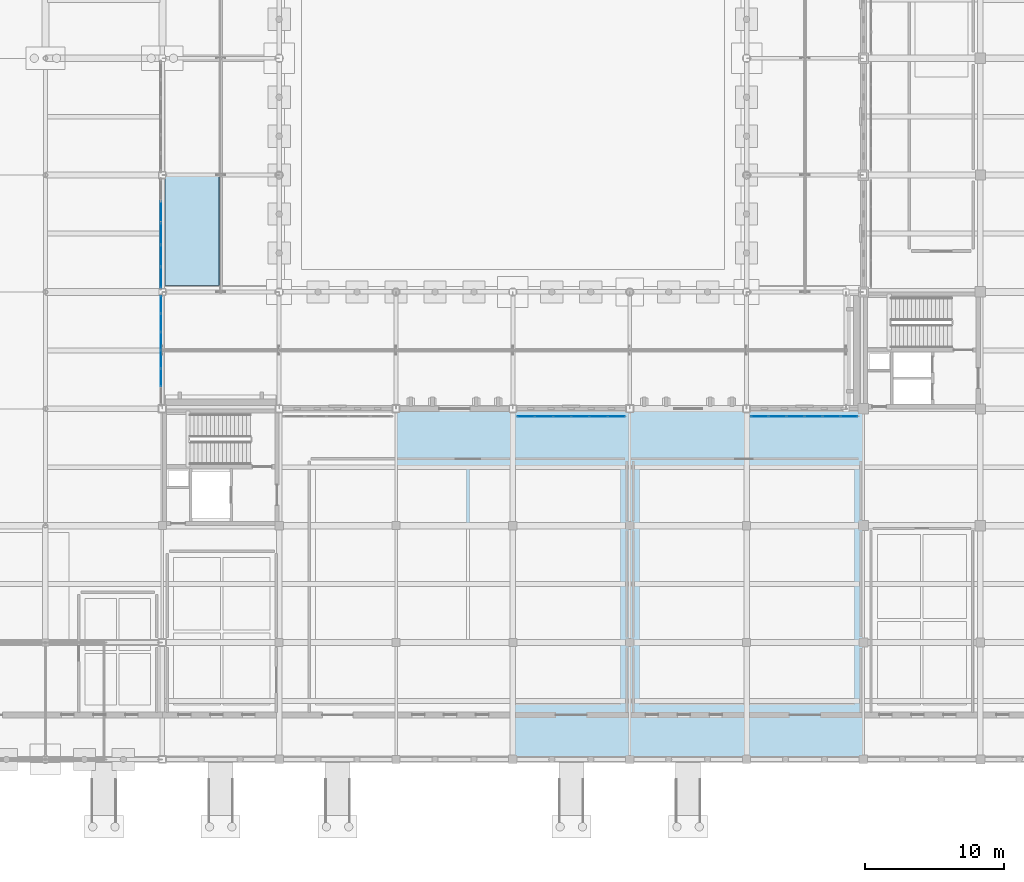
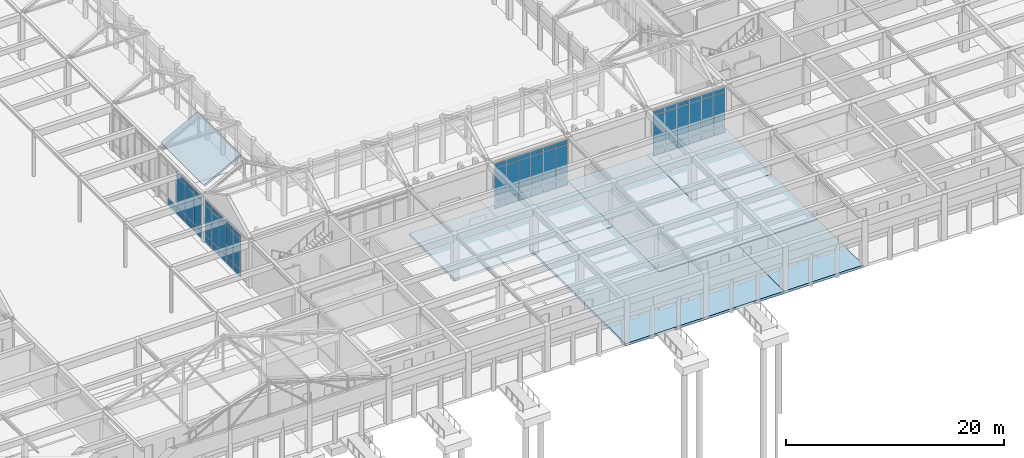
# One storey, part 73 of 143: 61 plates, 6 slabs, 4 elements without a shape of their own.
"""IFC4 building model written with IfcOpenShell, lengths in metres."""

from ifc_helpers import new_model, si_unit, direction, frame, origin, origin_2d, place, context, subcontext, project, spatial, polyline, rectangle, outline, extrude, material, layer, layer_set, type_object, element, aggregate, save


model = new_model("IFC4")

# Units and contexts
model_context = context("Model", 3, precision=1e-05, world=origin(), true_north=direction((0.0, 1.0)))
body_context = subcontext(model_context, "Body", "Model", "MODEL_VIEW")
ifc_project = project(units=[si_unit("LENGTHUNIT", "METRE"), si_unit("AREAUNIT", "SQUARE_METRE"), si_unit("VOLUMEUNIT", "CUBIC_METRE"), si_unit("PLANEANGLEUNIT", "RADIAN"), si_unit("MASSUNIT", "GRAM", prefix="KILO")], contexts=[model_context])

# Site, building, storey
site_placement = place(None, origin())
site = spatial("IfcSite", under=ifc_project, at=site_placement, CompositionType="ELEMENT")
building_placement = place(site_placement, origin())
building = spatial("IfcBuilding", under=site, at=building_placement, Name="Kveldsbrygga Polytechnic", CompositionType="ELEMENT")
storey_placement = place(building_placement, origin())
storey = spatial("IfcBuildingStorey", under=building, at=storey_placement, Name="L00", CompositionType="ELEMENT", Elevation=0.0)

# Curtain wall, plates
ifc_material_1 = material(Name="Anodised aluminium AW-6060", Category="aluminium")
ifc_layer_1 = layer(ifc_material_1, 0.18994140625)
ifc_layer_set_1 = layer_set([ifc_layer_1], Name="Anodised aluminium AW-6060")
curtain_wall_type_1 = type_object("IfcCurtainWallType", Name="CW-REFC-G", PredefinedType="USERDEFINED", material=ifc_layer_set_1)
curtain_wall_1_placement = place(storey_placement, origin())
curtain_wall_1 = element("IfcCurtainWall", 1, at=curtain_wall_1_placement, inside=storey, type_object=curtain_wall_type_1, Name="Curtain Wall CW-L00-Y-09-04", ObjectType="UNITISED CURTAIN WALL", PredefinedType="USERDEFINED")
ifc_material_2 = material(Name="Insulated triple low-E glass", Category="glass")
ifc_layer_2 = layer(ifc_material_2, 0.035888671875)
ifc_layer_set_2 = layer_set([ifc_layer_2], Name="Insulated triple low-E glass")
plate_type_1 = type_object("IfcPlateType", Name="CW-PAN-VIS36", PredefinedType="CURTAIN_PANEL", material=ifc_layer_set_2)
plate_1_placement = place(storey_placement, frame((75.5, 34.644287109375, 0.06005859375), z_axis=(0.0, 0.0, 1.0), x_axis=(0.0, 1.0, 0.0)))
plate_1 = element("IfcPlate", 2, at=plate_1_placement, type_object=plate_type_1, Name="CW-07 panel 1.1", PredefinedType="CURTAIN_PANEL", context=body_context, shape_type="SweptSolid", body=[
    extrude(rectangle(XDim=1.468505859375, YDim=0.035888671875, at=origin_2d()), origin(), (0.0, 0.0, 1.0), 0.81005859375),
])
plate_2_placement = place(storey_placement, frame((75.5, 34.644287109375, 0.93017578125), z_axis=(0.0, 0.0, 1.0), x_axis=(0.0, 1.0, 0.0)))
plate_2 = element("IfcPlate", 3, at=plate_2_placement, type_object=plate_type_1, Name="CW-07 panel 1.2", PredefinedType="CURTAIN_PANEL", context=body_context, shape_type="SweptSolid", body=[
    extrude(rectangle(XDim=1.468505859375, YDim=0.035888671875, at=origin_2d()), origin(), (0.0, 0.0, 1.0), 3.320068359375),
])
plate_3_placement = place(storey_placement, frame((75.5, 34.644287109375, 4.31005859375), z_axis=(0.0, 0.0, 1.0), x_axis=(0.0, 1.0, 0.0)))
plate_3 = element("IfcPlate", 4, at=plate_3_placement, type_object=plate_type_1, Name="CW-07 panel 1.3", PredefinedType="CURTAIN_PANEL", context=body_context, shape_type="SweptSolid", body=[
    extrude(rectangle(XDim=1.468505859375, YDim=0.035888671875, at=origin_2d()), origin(), (0.0, 0.0, 1.0), 0.4599609375),
])
plate_4_placement = place(storey_placement, frame((75.5, 36.20654296875, 0.06005859375), z_axis=(0.0, 0.0, 1.0), x_axis=(0.0, 1.0, 0.0)))
plate_4 = element("IfcPlate", 5, at=plate_4_placement, type_object=plate_type_1, Name="CW-07 panel 2.1", PredefinedType="CURTAIN_PANEL", context=body_context, shape_type="SweptSolid", body=[
    extrude(rectangle(XDim=1.506103515625, YDim=0.035888671875, at=origin_2d()), origin(), (0.0, 0.0, 1.0), 0.81005859375),
])
plate_5_placement = place(storey_placement, frame((75.5, 36.20654296875, 0.93017578125), z_axis=(0.0, 0.0, 1.0), x_axis=(0.0, 1.0, 0.0)))
plate_5 = element("IfcPlate", 6, at=plate_5_placement, type_object=plate_type_1, Name="CW-07 panel 2.2", PredefinedType="CURTAIN_PANEL", context=body_context, shape_type="SweptSolid", body=[
    extrude(rectangle(XDim=1.506103515625, YDim=0.035888671875, at=origin_2d()), origin(), (0.0, 0.0, 1.0), 3.320068359375),
])
plate_6_placement = place(storey_placement, frame((75.5, 36.20654296875, 4.31005859375), z_axis=(0.0, 0.0, 1.0), x_axis=(0.0, 1.0, 0.0)))
plate_6 = element("IfcPlate", 7, at=plate_6_placement, type_object=plate_type_1, Name="CW-07 panel 2.3", PredefinedType="CURTAIN_PANEL", context=body_context, shape_type="SweptSolid", body=[
    extrude(rectangle(XDim=1.506103515625, YDim=0.035888671875, at=origin_2d()), origin(), (0.0, 0.0, 1.0), 0.4599609375),
])
plate_7_placement = place(storey_placement, frame((75.5, 37.78759765625, 0.06005859375), z_axis=(0.0, 0.0, 1.0), x_axis=(0.0, 1.0, 0.0)))
plate_7 = element("IfcPlate", 8, at=plate_7_placement, type_object=plate_type_1, Name="CW-07 panel 3.1", PredefinedType="CURTAIN_PANEL", context=body_context, shape_type="SweptSolid", body=[
    extrude(rectangle(XDim=1.506103515625, YDim=0.035888671875, at=origin_2d()), origin(), (0.0, 0.0, 1.0), 0.81005859375),
])
plate_8_placement = place(storey_placement, frame((75.5, 37.78759765625, 0.93017578125), z_axis=(0.0, 0.0, 1.0), x_axis=(0.0, 1.0, 0.0)))
plate_8 = element("IfcPlate", 9, at=plate_8_placement, type_object=plate_type_1, Name="CW-07 panel 3.2", PredefinedType="CURTAIN_PANEL", context=body_context, shape_type="SweptSolid", body=[
    extrude(rectangle(XDim=1.506103515625, YDim=0.035888671875, at=origin_2d()), origin(), (0.0, 0.0, 1.0), 3.320068359375),
])
plate_9_placement = place(storey_placement, frame((75.5, 37.78759765625, 4.31005859375), z_axis=(0.0, 0.0, 1.0), x_axis=(0.0, 1.0, 0.0)))
plate_9 = element("IfcPlate", 10, at=plate_9_placement, type_object=plate_type_1, Name="CW-07 panel 3.3", PredefinedType="CURTAIN_PANEL", context=body_context, shape_type="SweptSolid", body=[
    extrude(rectangle(XDim=1.506103515625, YDim=0.035888671875, at=origin_2d()), origin(), (0.0, 0.0, 1.0), 0.4599609375),
])
plate_10_placement = place(storey_placement, frame((75.5, 39.368408203125, 0.06005859375), z_axis=(0.0, 0.0, 1.0), x_axis=(0.0, 1.0, 0.0)))
plate_10 = element("IfcPlate", 11, at=plate_10_placement, type_object=plate_type_1, Name="CW-07 panel 4.1", PredefinedType="CURTAIN_PANEL", context=body_context, shape_type="SweptSolid", body=[
    extrude(rectangle(XDim=1.506103515625, YDim=0.035888671875, at=origin_2d()), origin(), (0.0, 0.0, 1.0), 0.81005859375),
])
aggregate(curtain_wall_1, [plate_1, plate_2, plate_3, plate_4, plate_5, plate_6, plate_7, plate_8, plate_9, plate_10])

ifc_layer_3 = layer(ifc_material_1, 0.179931640625)
ifc_layer_set_3 = layer_set([ifc_layer_3], Name="Anodised aluminium AW-6060")
curtain_wall_type_2 = type_object("IfcCurtainWallType", Name="CW-CONC-A", PredefinedType="USERDEFINED", material=ifc_layer_set_3)
curtain_wall_2_placement = place(storey_placement, origin())
curtain_wall_2 = element("IfcCurtainWall", 12, at=curtain_wall_2_placement, inside=storey, type_object=curtain_wall_type_2, Name="Curtain Wall CW-L00-X-12-03", ObjectType="UNITISED CURTAIN WALL", PredefinedType="USERDEFINED")
plate_11_placement = place(storey_placement, frame((101.743408203125, 24.64990234375, 0.06005859375), z_axis=(0.0, 0.0, 1.0), x_axis=(1.0, 0.0, 0.0)))
plate_11 = element("IfcPlate", 13, at=plate_11_placement, type_object=plate_type_1, Name="CW-01 panel 1.1", PredefinedType="CURTAIN_PANEL", context=body_context, shape_type="SweptSolid", body=[
    extrude(rectangle(XDim=1.216552734375, YDim=0.035888671875, at=origin_2d()), origin(), (0.0, 0.0, 1.0), 0.81005859375),
])
plate_12_placement = place(storey_placement, frame((101.743408203125, 24.64990234375, 0.93017578125), z_axis=(0.0, 0.0, 1.0), x_axis=(1.0, 0.0, 0.0)))
plate_12 = element("IfcPlate", 14, at=plate_12_placement, type_object=plate_type_1, Name="CW-01 panel 1.2", PredefinedType="CURTAIN_PANEL", context=body_context, shape_type="SweptSolid", body=[
    extrude(rectangle(XDim=1.216552734375, YDim=0.035888671875, at=origin_2d()), origin(), (0.0, 0.0, 1.0), 3.6298828125),
])
plate_13_placement = place(storey_placement, frame((101.743408203125, 24.64990234375, 4.6201171875), z_axis=(0.0, 0.0, 1.0), x_axis=(1.0, 0.0, 0.0)))
plate_13 = element("IfcPlate", 15, at=plate_13_placement, type_object=plate_type_1, Name="CW-01 panel 1.3", PredefinedType="CURTAIN_PANEL", context=body_context, shape_type="SweptSolid", body=[
    extrude(rectangle(XDim=1.216552734375, YDim=0.035888671875, at=origin_2d()), origin(), (0.0, 0.0, 1.0), 0.4599609375),
])
plate_14_placement = place(storey_placement, frame((103.034912109375, 24.64990234375, 0.06005859375), z_axis=(0.0, 0.0, 1.0), x_axis=(1.0, 0.0, 0.0)))
plate_14 = element("IfcPlate", 16, at=plate_14_placement, type_object=plate_type_1, Name="CW-01 panel 2.1", PredefinedType="CURTAIN_PANEL", context=body_context, shape_type="SweptSolid", body=[
    extrude(rectangle(XDim=1.24658203125, YDim=0.035888671875, at=origin_2d()), origin(), (0.0, 0.0, 1.0), 0.81005859375),
])
plate_15_placement = place(storey_placement, frame((103.034912109375, 24.64990234375, 0.93017578125), z_axis=(0.0, 0.0, 1.0), x_axis=(1.0, 0.0, 0.0)))
plate_15 = element("IfcPlate", 17, at=plate_15_placement, type_object=plate_type_1, Name="CW-01 panel 2.2", PredefinedType="CURTAIN_PANEL", context=body_context, shape_type="SweptSolid", body=[
    extrude(rectangle(XDim=1.24658203125, YDim=0.035888671875, at=origin_2d()), origin(), (0.0, 0.0, 1.0), 3.6298828125),
])
plate_16_placement = place(storey_placement, frame((103.034912109375, 24.64990234375, 4.6201171875), z_axis=(0.0, 0.0, 1.0), x_axis=(1.0, 0.0, 0.0)))
plate_16 = element("IfcPlate", 18, at=plate_16_placement, type_object=plate_type_1, Name="CW-01 panel 2.3", PredefinedType="CURTAIN_PANEL", context=body_context, shape_type="SweptSolid", body=[
    extrude(rectangle(XDim=1.24658203125, YDim=0.035888671875, at=origin_2d()), origin(), (0.0, 0.0, 1.0), 0.4599609375),
])
plate_17_placement = place(storey_placement, frame((104.341552734375, 24.64990234375, 0.06005859375), z_axis=(0.0, 0.0, 1.0), x_axis=(1.0, 0.0, 0.0)))
plate_17 = element("IfcPlate", 19, at=plate_17_placement, type_object=plate_type_1, Name="CW-01 panel 3.1", PredefinedType="CURTAIN_PANEL", context=body_context, shape_type="SweptSolid", body=[
    extrude(rectangle(XDim=1.24658203125, YDim=0.035888671875, at=origin_2d()), origin(), (0.0, 0.0, 1.0), 0.81005859375),
])
plate_18_placement = place(storey_placement, frame((104.341552734375, 24.64990234375, 0.93017578125), z_axis=(0.0, 0.0, 1.0), x_axis=(1.0, 0.0, 0.0)))
plate_18 = element("IfcPlate", 20, at=plate_18_placement, type_object=plate_type_1, Name="CW-01 panel 3.2", PredefinedType="CURTAIN_PANEL", context=body_context, shape_type="SweptSolid", body=[
    extrude(rectangle(XDim=1.24658203125, YDim=0.035888671875, at=origin_2d()), origin(), (0.0, 0.0, 1.0), 3.6298828125),
])
plate_19_placement = place(storey_placement, frame((104.341552734375, 24.64990234375, 4.6201171875), z_axis=(0.0, 0.0, 1.0), x_axis=(1.0, 0.0, 0.0)))
plate_19 = element("IfcPlate", 21, at=plate_19_placement, type_object=plate_type_1, Name="CW-01 panel 3.3", PredefinedType="CURTAIN_PANEL", context=body_context, shape_type="SweptSolid", body=[
    extrude(rectangle(XDim=1.24658203125, YDim=0.035888671875, at=origin_2d()), origin(), (0.0, 0.0, 1.0), 0.4599609375),
])
plate_20_placement = place(storey_placement, frame((105.6484375, 24.64990234375, 0.06005859375), z_axis=(0.0, 0.0, 1.0), x_axis=(1.0, 0.0, 0.0)))
plate_20 = element("IfcPlate", 22, at=plate_20_placement, type_object=plate_type_1, Name="CW-01 panel 4.1", PredefinedType="CURTAIN_PANEL", context=body_context, shape_type="SweptSolid", body=[
    extrude(rectangle(XDim=1.24658203125, YDim=0.035888671875, at=origin_2d()), origin(), (0.0, 0.0, 1.0), 0.81005859375),
])
plate_21_placement = place(storey_placement, frame((105.6484375, 24.64990234375, 0.93017578125), z_axis=(0.0, 0.0, 1.0), x_axis=(1.0, 0.0, 0.0)))
plate_21 = element("IfcPlate", 23, at=plate_21_placement, type_object=plate_type_1, Name="CW-01 panel 4.2", PredefinedType="CURTAIN_PANEL", context=body_context, shape_type="SweptSolid", body=[
    extrude(rectangle(XDim=1.24658203125, YDim=0.035888671875, at=origin_2d()), origin(), (0.0, 0.0, 1.0), 3.6298828125),
])
plate_22_placement = place(storey_placement, frame((105.6484375, 24.64990234375, 4.6201171875), z_axis=(0.0, 0.0, 1.0), x_axis=(1.0, 0.0, 0.0)))
plate_22 = element("IfcPlate", 24, at=plate_22_placement, type_object=plate_type_1, Name="CW-01 panel 4.3", PredefinedType="CURTAIN_PANEL", context=body_context, shape_type="SweptSolid", body=[
    extrude(rectangle(XDim=1.24658203125, YDim=0.035888671875, at=origin_2d()), origin(), (0.0, 0.0, 1.0), 0.4599609375),
])
plate_23_placement = place(storey_placement, frame((106.955078125, 24.64990234375, 0.06005859375), z_axis=(0.0, 0.0, 1.0), x_axis=(1.0, 0.0, 0.0)))
plate_23 = element("IfcPlate", 25, at=plate_23_placement, type_object=plate_type_1, Name="CW-01 panel 5.1", PredefinedType="CURTAIN_PANEL", context=body_context, shape_type="SweptSolid", body=[
    extrude(rectangle(XDim=1.24658203125, YDim=0.035888671875, at=origin_2d()), origin(), (0.0, 0.0, 1.0), 0.81005859375),
])
plate_24_placement = place(storey_placement, frame((106.955078125, 24.64990234375, 0.93017578125), z_axis=(0.0, 0.0, 1.0), x_axis=(1.0, 0.0, 0.0)))
plate_24 = element("IfcPlate", 26, at=plate_24_placement, type_object=plate_type_1, Name="CW-01 panel 5.2", PredefinedType="CURTAIN_PANEL", context=body_context, shape_type="SweptSolid", body=[
    extrude(rectangle(XDim=1.24658203125, YDim=0.035888671875, at=origin_2d()), origin(), (0.0, 0.0, 1.0), 3.6298828125),
])
plate_25_placement = place(storey_placement, frame((106.955078125, 24.64990234375, 4.6201171875), z_axis=(0.0, 0.0, 1.0), x_axis=(1.0, 0.0, 0.0)))
plate_25 = element("IfcPlate", 27, at=plate_25_placement, type_object=plate_type_1, Name="CW-01 panel 5.3", PredefinedType="CURTAIN_PANEL", context=body_context, shape_type="SweptSolid", body=[
    extrude(rectangle(XDim=1.24658203125, YDim=0.035888671875, at=origin_2d()), origin(), (0.0, 0.0, 1.0), 0.4599609375),
])
plate_26_placement = place(storey_placement, frame((108.24658203125, 24.64990234375, 0.06005859375), z_axis=(0.0, 0.0, 1.0), x_axis=(1.0, 0.0, 0.0)))
plate_26 = element("IfcPlate", 28, at=plate_26_placement, type_object=plate_type_1, Name="CW-01 panel 6.1", PredefinedType="CURTAIN_PANEL", context=body_context, shape_type="SweptSolid", body=[
    extrude(rectangle(XDim=1.216552734375, YDim=0.035888671875, at=origin_2d()), origin(), (0.0, 0.0, 1.0), 0.81005859375),
])
plate_27_placement = place(storey_placement, frame((108.24658203125, 24.64990234375, 0.93017578125), z_axis=(0.0, 0.0, 1.0), x_axis=(1.0, 0.0, 0.0)))
plate_27 = element("IfcPlate", 29, at=plate_27_placement, type_object=plate_type_1, Name="CW-01 panel 6.2", PredefinedType="CURTAIN_PANEL", context=body_context, shape_type="SweptSolid", body=[
    extrude(rectangle(XDim=1.216552734375, YDim=0.035888671875, at=origin_2d()), origin(), (0.0, 0.0, 1.0), 3.6298828125),
])
plate_28_placement = place(storey_placement, frame((108.24658203125, 24.64990234375, 4.6201171875), z_axis=(0.0, 0.0, 1.0), x_axis=(1.0, 0.0, 0.0)))
plate_28 = element("IfcPlate", 30, at=plate_28_placement, type_object=plate_type_1, Name="CW-01 panel 6.3", PredefinedType="CURTAIN_PANEL", context=body_context, shape_type="SweptSolid", body=[
    extrude(rectangle(XDim=1.216552734375, YDim=0.035888671875, at=origin_2d()), origin(), (0.0, 0.0, 1.0), 0.4599609375),
])
aggregate(curtain_wall_2, [plate_11, plate_12, plate_13, plate_14, plate_15, plate_16, plate_17, plate_18, plate_19, plate_20, plate_21, plate_22, plate_23, plate_24, plate_25, plate_26, plate_27, plate_28])

ifc_layer_4 = layer(ifc_material_1, 0.169921875)
ifc_layer_set_4 = layer_set([ifc_layer_4], Name="Anodised aluminium AW-6060")
curtain_wall_type_3 = type_object("IfcCurtainWallType", Name="CW-FOYR-F", PredefinedType="USERDEFINED", material=ifc_layer_set_4)
curtain_wall_3_placement = place(storey_placement, origin())
curtain_wall_3 = element("IfcCurtainWall", 31, at=curtain_wall_3_placement, inside=storey, type_object=curtain_wall_type_3, Name="Curtain Wall CW-L00-Y-09-03", ObjectType="STICK CURTAIN WALL", PredefinedType="USERDEFINED")
ifc_layer_5 = layer(ifc_material_2, 0.048095703125)
ifc_layer_set_5 = layer_set([ifc_layer_5], Name="Insulated triple low-E glass")
plate_type_2 = type_object("IfcPlateType", Name="CW-PAN-VIS48", PredefinedType="CURTAIN_PANEL", material=ifc_layer_set_5)
plate_29_placement = place(storey_placement, frame((75.5, 27.455078125, 0.074951171875), z_axis=(0.0, 0.0, 1.0), x_axis=(0.0, 1.0, 0.0)))
plate_29 = element("IfcPlate", 32, at=plate_29_placement, type_object=plate_type_2, Name="CW-06 panel 2.1", PredefinedType="CURTAIN_PANEL", context=body_context, shape_type="SweptSolid", body=[
    extrude(rectangle(XDim=1.25341796875, YDim=0.048095703125, at=origin_2d()), origin(), (0.0, 0.0, 1.0), 0.78759765625),
])
plate_30_placement = place(storey_placement, frame((75.5, 27.455078125, 0.9375), z_axis=(0.0, 0.0, 1.0), x_axis=(0.0, 1.0, 0.0)))
plate_30 = element("IfcPlate", 33, at=plate_30_placement, type_object=plate_type_2, Name="CW-06 panel 2.2", PredefinedType="CURTAIN_PANEL", context=body_context, shape_type="SweptSolid", body=[
    extrude(rectangle(XDim=1.25341796875, YDim=0.048095703125, at=origin_2d()), origin(), (0.0, 0.0, 1.0), 3.304931640625),
])
plate_31_placement = place(storey_placement, frame((75.5, 27.455078125, 4.3173828125), z_axis=(0.0, 0.0, 1.0), x_axis=(0.0, 1.0, 0.0)))
plate_31 = element("IfcPlate", 34, at=plate_31_placement, type_object=plate_type_2, Name="CW-06 panel 2.3", PredefinedType="CURTAIN_PANEL", context=body_context, shape_type="SweptSolid", body=[
    extrude(rectangle(XDim=1.25341796875, YDim=0.048095703125, at=origin_2d()), origin(), (0.0, 0.0, 1.0), 0.4375),
])
plate_32_placement = place(storey_placement, frame((75.5, 28.768310546875, 0.074951171875), z_axis=(0.0, 0.0, 1.0), x_axis=(0.0, 1.0, 0.0)))
plate_32 = element("IfcPlate", 35, at=plate_32_placement, type_object=plate_type_2, Name="CW-06 panel 3.1", PredefinedType="CURTAIN_PANEL", context=body_context, shape_type="SweptSolid", body=[
    extrude(rectangle(XDim=1.25341796875, YDim=0.048095703125, at=origin_2d()), origin(), (0.0, 0.0, 1.0), 0.78759765625),
])
plate_33_placement = place(storey_placement, frame((75.5, 28.768310546875, 0.9375), z_axis=(0.0, 0.0, 1.0), x_axis=(0.0, 1.0, 0.0)))
plate_33 = element("IfcPlate", 36, at=plate_33_placement, type_object=plate_type_2, Name="CW-06 panel 3.2", PredefinedType="CURTAIN_PANEL", context=body_context, shape_type="SweptSolid", body=[
    extrude(rectangle(XDim=1.25341796875, YDim=0.048095703125, at=origin_2d()), origin(), (0.0, 0.0, 1.0), 3.304931640625),
])
plate_34_placement = place(storey_placement, frame((75.5, 28.768310546875, 4.3173828125), z_axis=(0.0, 0.0, 1.0), x_axis=(0.0, 1.0, 0.0)))
plate_34 = element("IfcPlate", 37, at=plate_34_placement, type_object=plate_type_2, Name="CW-06 panel 3.3", PredefinedType="CURTAIN_PANEL", context=body_context, shape_type="SweptSolid", body=[
    extrude(rectangle(XDim=1.25341796875, YDim=0.048095703125, at=origin_2d()), origin(), (0.0, 0.0, 1.0), 0.4375),
])
plate_35_placement = place(storey_placement, frame((75.5, 30.081787109375, 0.074951171875), z_axis=(0.0, 0.0, 1.0), x_axis=(0.0, 1.0, 0.0)))
plate_35 = element("IfcPlate", 38, at=plate_35_placement, type_object=plate_type_2, Name="CW-06 panel 4.1", PredefinedType="CURTAIN_PANEL", context=body_context, shape_type="SweptSolid", body=[
    extrude(rectangle(XDim=1.25341796875, YDim=0.048095703125, at=origin_2d()), origin(), (0.0, 0.0, 1.0), 0.78759765625),
])
plate_36_placement = place(storey_placement, frame((75.5, 30.081787109375, 0.9375), z_axis=(0.0, 0.0, 1.0), x_axis=(0.0, 1.0, 0.0)))
plate_36 = element("IfcPlate", 39, at=plate_36_placement, type_object=plate_type_2, Name="CW-06 panel 4.2", PredefinedType="CURTAIN_PANEL", context=body_context, shape_type="SweptSolid", body=[
    extrude(rectangle(XDim=1.25341796875, YDim=0.048095703125, at=origin_2d()), origin(), (0.0, 0.0, 1.0), 3.304931640625),
])
plate_37_placement = place(storey_placement, frame((75.5, 30.081787109375, 4.3173828125), z_axis=(0.0, 0.0, 1.0), x_axis=(0.0, 1.0, 0.0)))
plate_37 = element("IfcPlate", 40, at=plate_37_placement, type_object=plate_type_2, Name="CW-06 panel 4.3", PredefinedType="CURTAIN_PANEL", context=body_context, shape_type="SweptSolid", body=[
    extrude(rectangle(XDim=1.25341796875, YDim=0.048095703125, at=origin_2d()), origin(), (0.0, 0.0, 1.0), 0.4375),
])
plate_38_placement = place(storey_placement, frame((75.5, 31.39501953125, 0.074951171875), z_axis=(0.0, 0.0, 1.0), x_axis=(0.0, 1.0, 0.0)))
plate_38 = element("IfcPlate", 41, at=plate_38_placement, type_object=plate_type_2, Name="CW-06 panel 5.1", PredefinedType="CURTAIN_PANEL", context=body_context, shape_type="SweptSolid", body=[
    extrude(rectangle(XDim=1.25341796875, YDim=0.048095703125, at=origin_2d()), origin(), (0.0, 0.0, 1.0), 0.78759765625),
])
plate_39_placement = place(storey_placement, frame((75.5, 31.39501953125, 0.9375), z_axis=(0.0, 0.0, 1.0), x_axis=(0.0, 1.0, 0.0)))
plate_39 = element("IfcPlate", 42, at=plate_39_placement, type_object=plate_type_2, Name="CW-06 panel 5.2", PredefinedType="CURTAIN_PANEL", context=body_context, shape_type="SweptSolid", body=[
    extrude(rectangle(XDim=1.25341796875, YDim=0.048095703125, at=origin_2d()), origin(), (0.0, 0.0, 1.0), 3.304931640625),
])
plate_40_placement = place(storey_placement, frame((75.5, 31.39501953125, 4.3173828125), z_axis=(0.0, 0.0, 1.0), x_axis=(0.0, 1.0, 0.0)))
plate_40 = element("IfcPlate", 43, at=plate_40_placement, type_object=plate_type_2, Name="CW-06 panel 5.3", PredefinedType="CURTAIN_PANEL", context=body_context, shape_type="SweptSolid", body=[
    extrude(rectangle(XDim=1.25341796875, YDim=0.048095703125, at=origin_2d()), origin(), (0.0, 0.0, 1.0), 0.4375),
])
plate_41_placement = place(storey_placement, frame((75.5, 32.693359375, 0.074951171875), z_axis=(0.0, 0.0, 1.0), x_axis=(0.0, 1.0, 0.0)))
plate_41 = element("IfcPlate", 44, at=plate_41_placement, type_object=plate_type_2, Name="CW-06 panel 6.1", PredefinedType="CURTAIN_PANEL", context=body_context, shape_type="SweptSolid", body=[
    extrude(rectangle(XDim=1.223388671875, YDim=0.048095703125, at=origin_2d()), origin(), (0.0, 0.0, 1.0), 0.78759765625),
])
plate_42_placement = place(storey_placement, frame((75.5, 32.693359375, 0.9375), z_axis=(0.0, 0.0, 1.0), x_axis=(0.0, 1.0, 0.0)))
plate_42 = element("IfcPlate", 45, at=plate_42_placement, type_object=plate_type_2, Name="CW-06 panel 6.2", PredefinedType="CURTAIN_PANEL", context=body_context, shape_type="SweptSolid", body=[
    extrude(rectangle(XDim=1.223388671875, YDim=0.048095703125, at=origin_2d()), origin(), (0.0, 0.0, 1.0), 3.304931640625),
])
plate_43_placement = place(storey_placement, frame((75.5, 32.693359375, 4.3173828125), z_axis=(0.0, 0.0, 1.0), x_axis=(0.0, 1.0, 0.0)))
plate_43 = element("IfcPlate", 46, at=plate_43_placement, type_object=plate_type_2, Name="CW-06 panel 6.3", PredefinedType="CURTAIN_PANEL", context=body_context, shape_type="SweptSolid", body=[
    extrude(rectangle(XDim=1.223388671875, YDim=0.048095703125, at=origin_2d()), origin(), (0.0, 0.0, 1.0), 0.4375),
])
aggregate(curtain_wall_3, [plate_29, plate_30, plate_31, plate_32, plate_33, plate_34, plate_35, plate_36, plate_37, plate_38, plate_39, plate_40, plate_41, plate_42, plate_43])

ifc_layer_6 = layer(ifc_material_1, 0.159912109375)
ifc_layer_set_6 = layer_set([ifc_layer_6], Name="Anodised aluminium AW-6060")
curtain_wall_type_4 = type_object("IfcCurtainWallType", Name="CW-CLER-C", PredefinedType="USERDEFINED", material=ifc_layer_set_6)
curtain_wall_4_placement = place(storey_placement, origin())
curtain_wall_4 = element("IfcCurtainWall", 47, at=curtain_wall_4_placement, inside=storey, type_object=curtain_wall_type_4, Name="Curtain Wall CW-L00-X-14-03", ObjectType="STICK CURTAIN WALL", PredefinedType="USERDEFINED")
plate_44_placement = place(storey_placement, frame((118.540771484375, 24.64990234375, 0.074951171875), z_axis=(0.0, 0.0, 1.0), x_axis=(1.0, 0.0, 0.0)))
plate_44 = element("IfcPlate", 48, at=plate_44_placement, type_object=plate_type_2, Name="CW-03 panel 1.1", PredefinedType="CURTAIN_PANEL", context=body_context, shape_type="SweptSolid", body=[
    extrude(rectangle(XDim=1.181640625, YDim=0.048095703125, at=origin_2d()), origin(), (0.0, 0.0, 1.0), 0.78759765625),
])
plate_45_placement = place(storey_placement, frame((118.540771484375, 24.64990234375, 0.9375), z_axis=(0.0, 0.0, 1.0), x_axis=(1.0, 0.0, 0.0)))
plate_45 = element("IfcPlate", 49, at=plate_45_placement, type_object=plate_type_2, Name="CW-03 panel 1.2", PredefinedType="CURTAIN_PANEL", context=body_context, shape_type="SweptSolid", body=[
    extrude(rectangle(XDim=1.181640625, YDim=0.048095703125, at=origin_2d()), origin(), (0.0, 0.0, 1.0), 3.614990234375),
])
plate_46_placement = place(storey_placement, frame((118.540771484375, 24.64990234375, 4.62744140625), z_axis=(0.0, 0.0, 1.0), x_axis=(1.0, 0.0, 0.0)))
plate_46 = element("IfcPlate", 50, at=plate_46_placement, type_object=plate_type_2, Name="CW-03 panel 1.3", PredefinedType="CURTAIN_PANEL", context=body_context, shape_type="SweptSolid", body=[
    extrude(rectangle(XDim=1.181640625, YDim=0.048095703125, at=origin_2d()), origin(), (0.0, 0.0, 1.0), 0.4375),
])
plate_47_placement = place(storey_placement, frame((119.816162109375, 24.64990234375, 0.074951171875), z_axis=(0.0, 0.0, 1.0), x_axis=(1.0, 0.0, 0.0)))
plate_47 = element("IfcPlate", 51, at=plate_47_placement, type_object=plate_type_2, Name="CW-03 panel 2.1", PredefinedType="CURTAIN_PANEL", context=body_context, shape_type="SweptSolid", body=[
    extrude(rectangle(XDim=1.21923828125, YDim=0.048095703125, at=origin_2d()), origin(), (0.0, 0.0, 1.0), 0.78759765625),
])
plate_48_placement = place(storey_placement, frame((119.816162109375, 24.64990234375, 0.9375), z_axis=(0.0, 0.0, 1.0), x_axis=(1.0, 0.0, 0.0)))
plate_48 = element("IfcPlate", 52, at=plate_48_placement, type_object=plate_type_2, Name="CW-03 panel 2.2", PredefinedType="CURTAIN_PANEL", context=body_context, shape_type="SweptSolid", body=[
    extrude(rectangle(XDim=1.21923828125, YDim=0.048095703125, at=origin_2d()), origin(), (0.0, 0.0, 1.0), 3.614990234375),
])
plate_49_placement = place(storey_placement, frame((119.816162109375, 24.64990234375, 4.62744140625), z_axis=(0.0, 0.0, 1.0), x_axis=(1.0, 0.0, 0.0)))
plate_49 = element("IfcPlate", 53, at=plate_49_placement, type_object=plate_type_2, Name="CW-03 panel 2.3", PredefinedType="CURTAIN_PANEL", context=body_context, shape_type="SweptSolid", body=[
    extrude(rectangle(XDim=1.21923828125, YDim=0.048095703125, at=origin_2d()), origin(), (0.0, 0.0, 1.0), 0.4375),
])
plate_50_placement = place(storey_placement, frame((121.1103515625, 24.64990234375, 0.074951171875), z_axis=(0.0, 0.0, 1.0), x_axis=(1.0, 0.0, 0.0)))
plate_50 = element("IfcPlate", 54, at=plate_50_placement, type_object=plate_type_2, Name="CW-03 panel 3.1", PredefinedType="CURTAIN_PANEL", context=body_context, shape_type="SweptSolid", body=[
    extrude(rectangle(XDim=1.21923828125, YDim=0.048095703125, at=origin_2d()), origin(), (0.0, 0.0, 1.0), 0.78759765625),
])
plate_51_placement = place(storey_placement, frame((121.1103515625, 24.64990234375, 0.9375), z_axis=(0.0, 0.0, 1.0), x_axis=(1.0, 0.0, 0.0)))
plate_51 = element("IfcPlate", 55, at=plate_51_placement, type_object=plate_type_2, Name="CW-03 panel 3.2", PredefinedType="CURTAIN_PANEL", context=body_context, shape_type="SweptSolid", body=[
    extrude(rectangle(XDim=1.21923828125, YDim=0.048095703125, at=origin_2d()), origin(), (0.0, 0.0, 1.0), 3.614990234375),
])
plate_52_placement = place(storey_placement, frame((121.1103515625, 24.64990234375, 4.62744140625), z_axis=(0.0, 0.0, 1.0), x_axis=(1.0, 0.0, 0.0)))
plate_52 = element("IfcPlate", 56, at=plate_52_placement, type_object=plate_type_2, Name="CW-03 panel 3.3", PredefinedType="CURTAIN_PANEL", context=body_context, shape_type="SweptSolid", body=[
    extrude(rectangle(XDim=1.21923828125, YDim=0.048095703125, at=origin_2d()), origin(), (0.0, 0.0, 1.0), 0.4375),
])
plate_53_placement = place(storey_placement, frame((122.404541015625, 24.64990234375, 0.074951171875), z_axis=(0.0, 0.0, 1.0), x_axis=(1.0, 0.0, 0.0)))
plate_53 = element("IfcPlate", 57, at=plate_53_placement, type_object=plate_type_2, Name="CW-03 panel 4.1", PredefinedType="CURTAIN_PANEL", context=body_context, shape_type="SweptSolid", body=[
    extrude(rectangle(XDim=1.21923828125, YDim=0.048095703125, at=origin_2d()), origin(), (0.0, 0.0, 1.0), 0.78759765625),
])
plate_54_placement = place(storey_placement, frame((122.404541015625, 24.64990234375, 0.9375), z_axis=(0.0, 0.0, 1.0), x_axis=(1.0, 0.0, 0.0)))
plate_54 = element("IfcPlate", 58, at=plate_54_placement, type_object=plate_type_2, Name="CW-03 panel 4.2", PredefinedType="CURTAIN_PANEL", context=body_context, shape_type="SweptSolid", body=[
    extrude(rectangle(XDim=1.21923828125, YDim=0.048095703125, at=origin_2d()), origin(), (0.0, 0.0, 1.0), 3.614990234375),
])
plate_55_placement = place(storey_placement, frame((122.404541015625, 24.64990234375, 4.62744140625), z_axis=(0.0, 0.0, 1.0), x_axis=(1.0, 0.0, 0.0)))
plate_55 = element("IfcPlate", 59, at=plate_55_placement, type_object=plate_type_2, Name="CW-03 panel 4.3", PredefinedType="CURTAIN_PANEL", context=body_context, shape_type="SweptSolid", body=[
    extrude(rectangle(XDim=1.21923828125, YDim=0.048095703125, at=origin_2d()), origin(), (0.0, 0.0, 1.0), 0.4375),
])
plate_56_placement = place(storey_placement, frame((123.69873046875, 24.64990234375, 0.074951171875), z_axis=(0.0, 0.0, 1.0), x_axis=(1.0, 0.0, 0.0)))
plate_56 = element("IfcPlate", 60, at=plate_56_placement, type_object=plate_type_2, Name="CW-03 panel 5.1", PredefinedType="CURTAIN_PANEL", context=body_context, shape_type="SweptSolid", body=[
    extrude(rectangle(XDim=1.21923828125, YDim=0.048095703125, at=origin_2d()), origin(), (0.0, 0.0, 1.0), 0.78759765625),
])
plate_57_placement = place(storey_placement, frame((123.69873046875, 24.64990234375, 0.9375), z_axis=(0.0, 0.0, 1.0), x_axis=(1.0, 0.0, 0.0)))
plate_57 = element("IfcPlate", 61, at=plate_57_placement, type_object=plate_type_2, Name="CW-03 panel 5.2", PredefinedType="CURTAIN_PANEL", context=body_context, shape_type="SweptSolid", body=[
    extrude(rectangle(XDim=1.21923828125, YDim=0.048095703125, at=origin_2d()), origin(), (0.0, 0.0, 1.0), 3.614990234375),
])
plate_58_placement = place(storey_placement, frame((123.69873046875, 24.64990234375, 4.62744140625), z_axis=(0.0, 0.0, 1.0), x_axis=(1.0, 0.0, 0.0)))
plate_58 = element("IfcPlate", 62, at=plate_58_placement, type_object=plate_type_2, Name="CW-03 panel 5.3", PredefinedType="CURTAIN_PANEL", context=body_context, shape_type="SweptSolid", body=[
    extrude(rectangle(XDim=1.21923828125, YDim=0.048095703125, at=origin_2d()), origin(), (0.0, 0.0, 1.0), 0.4375),
])
plate_59_placement = place(storey_placement, frame((124.97412109375, 24.64990234375, 0.074951171875), z_axis=(0.0, 0.0, 1.0), x_axis=(1.0, 0.0, 0.0)))
plate_59 = element("IfcPlate", 63, at=plate_59_placement, type_object=plate_type_2, Name="CW-03 panel 6.1", PredefinedType="CURTAIN_PANEL", context=body_context, shape_type="SweptSolid", body=[
    extrude(rectangle(XDim=1.181640625, YDim=0.048095703125, at=origin_2d()), origin(), (0.0, 0.0, 1.0), 0.78759765625),
])
plate_60_placement = place(storey_placement, frame((124.97412109375, 24.64990234375, 0.9375), z_axis=(0.0, 0.0, 1.0), x_axis=(1.0, 0.0, 0.0)))
plate_60 = element("IfcPlate", 64, at=plate_60_placement, type_object=plate_type_2, Name="CW-03 panel 6.2", PredefinedType="CURTAIN_PANEL", context=body_context, shape_type="SweptSolid", body=[
    extrude(rectangle(XDim=1.181640625, YDim=0.048095703125, at=origin_2d()), origin(), (0.0, 0.0, 1.0), 3.614990234375),
])
plate_61_placement = place(storey_placement, frame((124.97412109375, 24.64990234375, 4.62744140625), z_axis=(0.0, 0.0, 1.0), x_axis=(1.0, 0.0, 0.0)))
plate_61 = element("IfcPlate", 65, at=plate_61_placement, type_object=plate_type_2, Name="CW-03 panel 6.3", PredefinedType="CURTAIN_PANEL", context=body_context, shape_type="SweptSolid", body=[
    extrude(rectangle(XDim=1.181640625, YDim=0.048095703125, at=origin_2d()), origin(), (0.0, 0.0, 1.0), 0.4375),
])
aggregate(curtain_wall_4, [plate_44, plate_45, plate_46, plate_47, plate_48, plate_49, plate_50, plate_51, plate_52, plate_53, plate_54, plate_55, plate_56, plate_57, plate_58, plate_59, plate_60, plate_61])

# Slabs
ifc_material_3 = material(Name="Concrete C35/45", Category="concrete")
ifc_layer_7 = layer(ifc_material_3, 0.219970703125)
ifc_layer_set_7 = layer_set([ifc_layer_7], Name="Concrete C35/45")
slab_type_1 = type_object("IfcSlabType", Name="SLB-ROOF-220", PredefinedType="ROOF", material=ifc_layer_set_7)
slab_1_placement = place(storey_placement, frame((75.780029296875, 34.06005859375, 5.83203125), z_axis=(-0.472224478215, 0.0, 0.881478327683), x_axis=(0.881478327683, 0.0, 0.472224478215)))
element("IfcSlab", 66, at=slab_1_placement, inside=storey, type_object=slab_type_1, Name="Pitched Roof Slab ARC-EW-RSLB-1-1", PredefinedType="ROOF", context=body_context, shape_type="SweptSolid", body=[
    extrude(outline(polyline([(0.0, 0.0), (4.4198433148005645, 0.0), (4.4198433148005645, 7.939941406250002), (0.0, 7.939941406250002), (0.0, 0.0)])), origin(), (0.0, 0.0, -1.0), 0.219970703125),
])
ifc_layer_8 = layer(ifc_material_3, 0.280029296875)
ifc_layer_set_8 = layer_set([ifc_layer_8], Name="Concrete C35/45")
slab_type_2 = type_object("IfcSlabType", Name="SLB-STD-280", PredefinedType="FLOOR", material=ifc_layer_set_8)
slab_2_placement = place(storey_placement, frame((0.0, 0.0, -0.280029296875)))
element("IfcSlab", 67, at=slab_2_placement, inside=storey, type_object=slab_type_2, Name="Slab SLB-L00-V3-L03-1", PredefinedType="FLOOR", context=body_context, shape_type="SweptSolid", body=[
    extrude(outline(polyline([(100.800048828125, 0.0), (100.800048828125, 8.39990234375), (100.800048828125, 16.800048828125), (109.199951171875, 16.800048828125), (109.199951171875, 8.39990234375), (117.60009765625, 8.39990234375), (117.60009765625, 0.0), (109.199951171875, 0.0), (100.800048828125, 0.0)])), origin(), (0.0, 0.0, 1.0), 0.280029296875),
])
slab_3_placement = place(storey_placement, frame((0.0, 0.0, -0.280029296875)))
element("IfcSlab", 68, at=slab_3_placement, inside=storey, type_object=slab_type_2, Name="Slab SLB-L00-V3-L04-1", PredefinedType="FLOOR", context=body_context, shape_type="SweptSolid", body=[
    extrude(outline(polyline([(109.199951171875, 8.39990234375), (109.199951171875, 16.800048828125), (109.199951171875, 25.199951171875), (117.60009765625, 25.199951171875), (117.60009765625, 16.800048828125), (126.0, 16.800048828125), (126.0, 8.39990234375), (117.60009765625, 8.39990234375), (109.199951171875, 8.39990234375)])), origin(), (0.0, 0.0, 1.0), 0.280029296875),
])
slab_4_placement = place(storey_placement, frame((0.0, 0.0, -0.280029296875)))
element("IfcSlab", 69, at=slab_4_placement, inside=storey, type_object=slab_type_2, Name="Slab SLB-L00-V3-Z2-3", PredefinedType="FLOOR", context=body_context, shape_type="SweptSolid", body=[
    extrude(outline(polyline([(92.39990234375, 25.199951171875), (100.800048828125, 25.199951171875), (109.199951171875, 25.199951171875), (109.199951171875, 16.800048828125), (100.800048828125, 16.800048828125), (92.39990234375, 16.800048828125), (92.39990234375, 25.199951171875)])), origin(), (0.0, 0.0, 1.0), 0.280029296875),
])
slab_5_placement = place(storey_placement, frame((0.0, 0.0, -0.280029296875)))
element("IfcSlab", 70, at=slab_5_placement, inside=storey, type_object=slab_type_2, Name="Slab SLB-L00-V3-Z3-1", PredefinedType="FLOOR", context=body_context, shape_type="SweptSolid", body=[
    extrude(outline(polyline([(117.60009765625, 0.0), (117.60009765625, 8.39990234375), (126.0, 8.39990234375), (126.0, 0.0), (117.60009765625, 0.0)])), origin(), (0.0, 0.0, 1.0), 0.280029296875),
])
slab_6_placement = place(storey_placement, frame((0.0, 0.0, -0.280029296875)))
element("IfcSlab", 71, at=slab_6_placement, inside=storey, type_object=slab_type_2, Name="Slab SLB-L00-V3-Z3-2", PredefinedType="FLOOR", context=body_context, shape_type="SweptSolid", body=[
    extrude(outline(polyline([(117.60009765625, 16.800048828125), (117.60009765625, 25.199951171875), (126.0, 25.199951171875), (126.0, 16.800048828125), (117.60009765625, 16.800048828125)])), origin(), (0.0, 0.0, 1.0), 0.280029296875),
])

save(model, "model.ifc")
